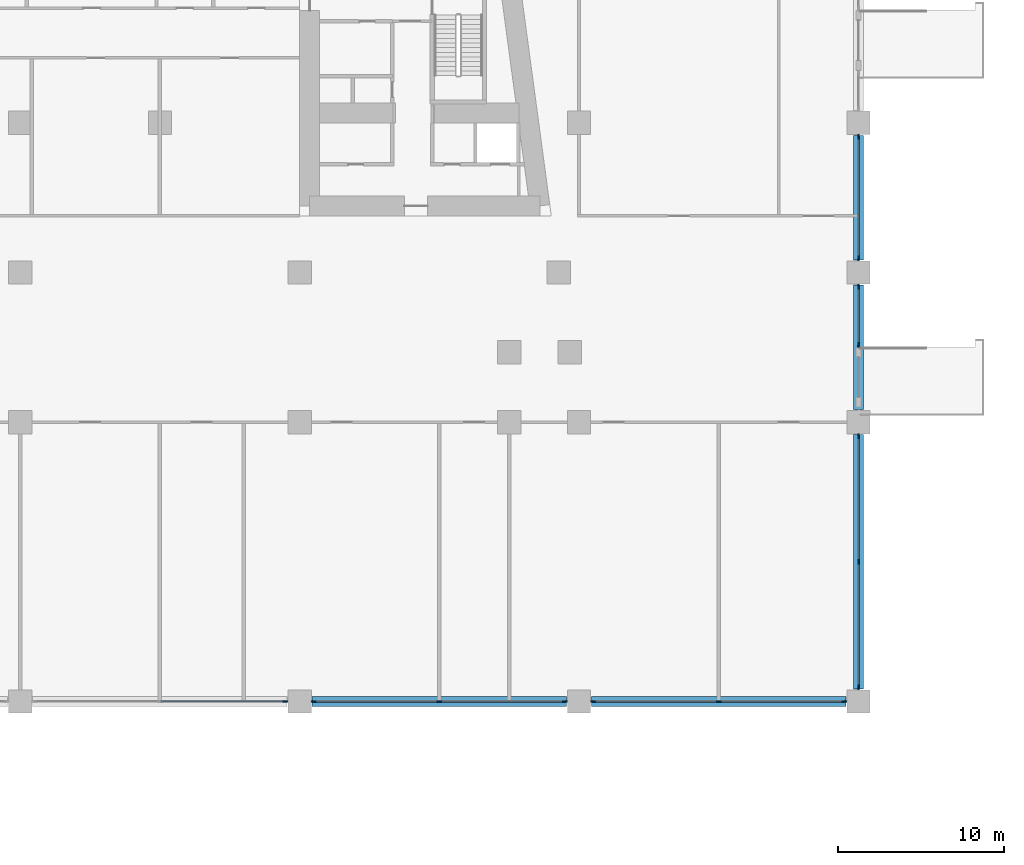
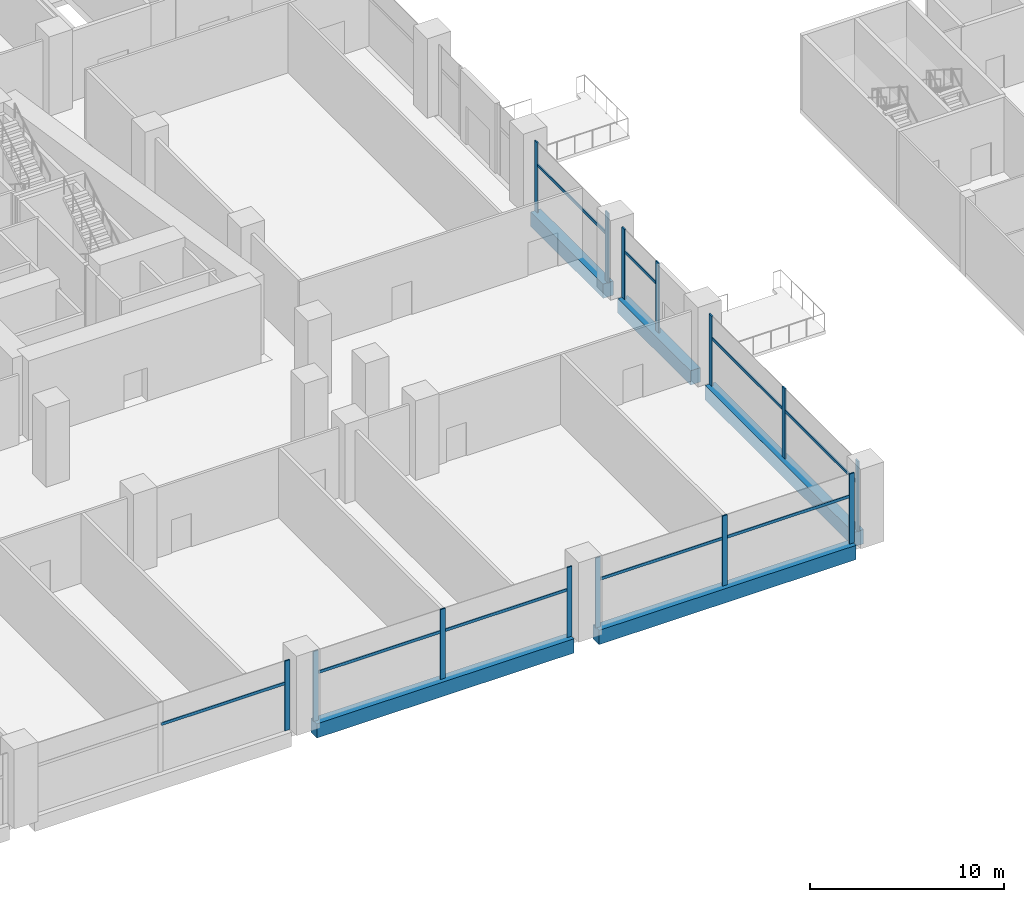
# One storey, part 5 of 33: 23 members, 5 beams, 6 elements without a shape of their own.
"""IFC4 building model written with IfcOpenShell, lengths in metres."""

from ifc_helpers import new_model, si_unit, direction, frame, origin, origin_2d, place, context, subcontext, project, spatial, rectangle, extrude, material, material_profile, profile_set, type_object, element, aggregate, save


model = new_model("IFC4")

# Units and contexts
model_context = context("Model", 3, precision=1e-05, world=origin(), true_north=direction((0.0, 1.0)))
body_context = subcontext(model_context, "Body", "Model", "MODEL_VIEW")
ifc_project = project(units=[si_unit("LENGTHUNIT", "METRE"), si_unit("AREAUNIT", "SQUARE_METRE"), si_unit("VOLUMEUNIT", "CUBIC_METRE"), si_unit("PLANEANGLEUNIT", "RADIAN"), si_unit("MASSUNIT", "GRAM", prefix="KILO")], contexts=[model_context])

# Site, building, storey
site_placement = place(None, origin())
site = spatial("IfcSite", under=ifc_project, at=site_placement, CompositionType="ELEMENT")
building_placement = place(site_placement, origin())
building = spatial("IfcBuilding", under=site, at=building_placement, Name="Candeia Pilgrim Tower and Theatre", CompositionType="ELEMENT")
storey_placement = place(building_placement, frame((0.0, 0.0, 29.0)))
storey = spatial("IfcBuildingStorey", under=building, at=storey_placement, Name="L04", CompositionType="ELEMENT", Elevation=29.0)

# Curtain wall, members
ifc_material_1 = material(Name="Aluminium framed podium glazing", Category="aluminium")
curtain_wall_type = type_object("IfcCurtainWallType", Name="CW-P curtain wall", PredefinedType="NOTDEFINED", material=ifc_material_1)
curtain_wall_1_placement = place(storey_placement, origin())
curtain_wall_1 = element("IfcCurtainWall", 1, at=curtain_wall_1_placement, inside=storey, type_object=curtain_wall_type, Name="Curtain wall CW-P L04.230", PredefinedType="NOTDEFINED")
ifc_material_2 = material(Name="Anodised aluminium", Category="aluminium")
ifc_material_profile_1 = material_profile(ifc_material_2, rectangle(XDim=0.080078125, YDim=0.300048828125, at=origin_2d()))
ifc_profile_set_1 = profile_set([ifc_material_profile_1], Name="Anodised aluminium")
member_type_1 = type_object("IfcMemberType", Name="CW-P mullion 80x300", PredefinedType="MULLION", material=ifc_profile_set_1)
member_1_placement = place(storey_placement, frame((159.60009765625, 115.14990234375, 0.0), z_axis=(0.0, 0.0, 1.0), x_axis=(1.0, 0.0, 0.0)))
member_1 = element("IfcMember", 2, at=member_1_placement, type_object=member_type_1, Name="CW-P mullion 1", PredefinedType="MULLION", context=body_context, shape_type="SweptSolid", body=[
    extrude(rectangle(XDim=0.080078125, YDim=0.300048828125, at=origin_2d()), origin(), (0.0, 0.0, 1.0), 4.39990234375),
])
member_2_placement = place(storey_placement, frame((159.60009765625, 107.85009765625, 0.0), z_axis=(0.0, 0.0, 1.0), x_axis=(1.0, 0.0, 0.0)))
member_2 = element("IfcMember", 3, at=member_2_placement, type_object=member_type_1, Name="CW-P mullion 2", PredefinedType="MULLION", context=body_context, shape_type="SweptSolid", body=[
    extrude(rectangle(XDim=0.080078125, YDim=0.300048828125, at=origin_2d()), origin(), (0.0, 0.0, 1.0), 4.39990234375),
])

curtain_wall_2_placement = place(storey_placement, origin())
curtain_wall_2 = element("IfcCurtainWall", 4, at=curtain_wall_2_placement, inside=storey, type_object=curtain_wall_type, Name="Curtain wall CW-P L04.240", PredefinedType="NOTDEFINED")
member_3_placement = place(storey_placement, frame((159.60009765625, 106.14990234375, 0.0), z_axis=(0.0, 0.0, 1.0), x_axis=(1.0, 0.0, 0.0)))
member_3 = element("IfcMember", 5, at=member_3_placement, type_object=member_type_1, Name="CW-P mullion 1", PredefinedType="MULLION", context=body_context, shape_type="SweptSolid", body=[
    extrude(rectangle(XDim=0.080078125, YDim=0.300048828125, at=origin_2d()), origin(), (0.0, 0.0, 1.0), 4.39990234375),
])
member_4_placement = place(storey_placement, frame((159.60009765625, 102.64990234375, 0.0), z_axis=(0.0, 0.0, 1.0), x_axis=(1.0, 0.0, 0.0)))
member_4 = element("IfcMember", 6, at=member_4_placement, type_object=member_type_1, Name="CW-P mullion 2", PredefinedType="MULLION", context=body_context, shape_type="SweptSolid", body=[
    extrude(rectangle(XDim=0.080078125, YDim=0.300048828125, at=origin_2d()), origin(), (0.0, 0.0, 1.0), 4.39990234375),
])

curtain_wall_3_placement = place(storey_placement, origin())
curtain_wall_3 = element("IfcCurtainWall", 7, at=curtain_wall_3_placement, inside=storey, type_object=curtain_wall_type, Name="Curtain wall CW-P L04.250", PredefinedType="NOTDEFINED")
member_5_placement = place(storey_placement, frame((159.60009765625, 97.14990234375, 0.0), z_axis=(0.0, 0.0, 1.0), x_axis=(1.0, 0.0, 0.0)))
member_5 = element("IfcMember", 8, at=member_5_placement, type_object=member_type_1, Name="CW-P mullion 1", PredefinedType="MULLION", context=body_context, shape_type="SweptSolid", body=[
    extrude(rectangle(XDim=0.080078125, YDim=0.300048828125, at=origin_2d()), origin(), (0.0, 0.0, 1.0), 4.39990234375),
])
member_6_placement = place(storey_placement, frame((159.60009765625, 89.60009765625, 0.0), z_axis=(0.0, 0.0, 1.0), x_axis=(1.0, 0.0, 0.0)))
member_6 = element("IfcMember", 9, at=member_6_placement, type_object=member_type_1, Name="CW-P mullion 2", PredefinedType="MULLION", context=body_context, shape_type="SweptSolid", body=[
    extrude(rectangle(XDim=0.080078125, YDim=0.300048828125, at=origin_2d()), origin(), (0.0, 0.0, 1.0), 4.39990234375),
])
member_7_placement = place(storey_placement, frame((159.60009765625, 82.050048828125, 0.0), z_axis=(0.0, 0.0, 1.0), x_axis=(1.0, 0.0, 0.0)))
member_7 = element("IfcMember", 10, at=member_7_placement, type_object=member_type_1, Name="CW-P mullion 3", PredefinedType="MULLION", context=body_context, shape_type="SweptSolid", body=[
    extrude(rectangle(XDim=0.080078125, YDim=0.300048828125, at=origin_2d()), origin(), (0.0, 0.0, 1.0), 4.39990234375),
])

curtain_wall_4_placement = place(storey_placement, origin())
curtain_wall_4 = element("IfcCurtainWall", 11, at=curtain_wall_4_placement, inside=storey, type_object=curtain_wall_type, Name="Curtain wall CW-P L04.300", PredefinedType="NOTDEFINED")
member_8_placement = place(storey_placement, frame((158.75, 81.199951171875, 0.0), z_axis=(0.0, 0.0, 1.0), x_axis=(0.0, -1.0, 0.0)))
member_8 = element("IfcMember", 12, at=member_8_placement, type_object=member_type_1, Name="CW-P mullion 1", PredefinedType="MULLION", context=body_context, shape_type="SweptSolid", body=[
    extrude(rectangle(XDim=0.080078125, YDim=0.300048828125, at=origin_2d()), origin(), (0.0, 0.0, 1.0), 4.39990234375),
])
member_9_placement = place(storey_placement, frame((151.199951171875, 81.199951171875, 0.0), z_axis=(0.0, 0.0, 1.0), x_axis=(0.0, -1.0, 0.0)))
member_9 = element("IfcMember", 13, at=member_9_placement, type_object=member_type_1, Name="CW-P mullion 2", PredefinedType="MULLION", context=body_context, shape_type="SweptSolid", body=[
    extrude(rectangle(XDim=0.080078125, YDim=0.300048828125, at=origin_2d()), origin(), (0.0, 0.0, 1.0), 4.39990234375),
])
member_10_placement = place(storey_placement, frame((143.64990234375, 81.199951171875, 0.0), z_axis=(0.0, 0.0, 1.0), x_axis=(0.0, -1.0, 0.0)))
member_10 = element("IfcMember", 14, at=member_10_placement, type_object=member_type_1, Name="CW-P mullion 3", PredefinedType="MULLION", context=body_context, shape_type="SweptSolid", body=[
    extrude(rectangle(XDim=0.080078125, YDim=0.300048828125, at=origin_2d()), origin(), (0.0, 0.0, 1.0), 4.39990234375),
])

curtain_wall_5_placement = place(storey_placement, origin())
curtain_wall_5 = element("IfcCurtainWall", 15, at=curtain_wall_5_placement, inside=storey, type_object=curtain_wall_type, Name="Curtain wall CW-P L04.310", PredefinedType="NOTDEFINED")
member_11_placement = place(storey_placement, frame((141.949951171875, 81.199951171875, 0.0), z_axis=(0.0, 0.0, 1.0), x_axis=(0.0, -1.0, 0.0)))
member_11 = element("IfcMember", 16, at=member_11_placement, type_object=member_type_1, Name="CW-P mullion 1", PredefinedType="MULLION", context=body_context, shape_type="SweptSolid", body=[
    extrude(rectangle(XDim=0.080078125, YDim=0.300048828125, at=origin_2d()), origin(), (0.0, 0.0, 1.0), 4.39990234375),
])
member_12_placement = place(storey_placement, frame((134.39990234375, 81.199951171875, 0.0), z_axis=(0.0, 0.0, 1.0), x_axis=(0.0, -1.0, 0.0)))
member_12 = element("IfcMember", 17, at=member_12_placement, type_object=member_type_1, Name="CW-P mullion 2", PredefinedType="MULLION", context=body_context, shape_type="SweptSolid", body=[
    extrude(rectangle(XDim=0.080078125, YDim=0.300048828125, at=origin_2d()), origin(), (0.0, 0.0, 1.0), 4.39990234375),
])
member_13_placement = place(storey_placement, frame((126.85009765625, 81.199951171875, 0.0), z_axis=(0.0, 0.0, 1.0), x_axis=(0.0, -1.0, 0.0)))
member_13 = element("IfcMember", 18, at=member_13_placement, type_object=member_type_1, Name="CW-P mullion 3", PredefinedType="MULLION", context=body_context, shape_type="SweptSolid", body=[
    extrude(rectangle(XDim=0.080078125, YDim=0.300048828125, at=origin_2d()), origin(), (0.0, 0.0, 1.0), 4.39990234375),
])

# Curtain wall, member
curtain_wall_6_placement = place(storey_placement, origin())
curtain_wall_6 = element("IfcCurtainWall", 19, at=curtain_wall_6_placement, inside=storey, type_object=curtain_wall_type, Name="Curtain wall CW-P L04.320", PredefinedType="NOTDEFINED")
member_14_placement = place(storey_placement, frame((125.14990234375, 81.199951171875, 0.0), z_axis=(0.0, 0.0, 1.0), x_axis=(0.0, -1.0, 0.0)))
member_14 = element("IfcMember", 20, at=member_14_placement, type_object=member_type_1, Name="CW-P mullion 1", PredefinedType="MULLION", context=body_context, shape_type="SweptSolid", body=[
    extrude(rectangle(XDim=0.080078125, YDim=0.300048828125, at=origin_2d()), origin(), (0.0, 0.0, 1.0), 4.39990234375),
])

# Member
ifc_material_profile_2 = material_profile(ifc_material_2, rectangle(XDim=0.080078125, YDim=0.179931640625, at=origin_2d()))
ifc_profile_set_2 = profile_set([ifc_material_profile_2], Name="Anodised aluminium")
member_type_2 = type_object("IfcMemberType", Name="CW-P transom 80x180", PredefinedType="USERDEFINED", material=ifc_profile_set_2)
member_15_placement = place(storey_placement, frame((159.60009765625, 115.110107421875, 3.0), z_axis=(0.0, -1.0, 0.0), x_axis=(1.0, 0.0, 0.0)))
member_15 = element("IfcMember", 21, at=member_15_placement, type_object=member_type_2, Name="CW-P transom 1.1", ObjectType="TRANSOM", PredefinedType="USERDEFINED", context=body_context, shape_type="SweptSolid", body=[
    extrude(rectangle(XDim=0.080078125, YDim=0.179931640625, at=origin_2d()), origin(), (0.0, 0.0, 1.0), 7.22021484375),
])

aggregate(curtain_wall_1, [member_1, member_2, member_15])

member_16_placement = place(storey_placement, frame((159.60009765625, 106.110107421875, 3.0), z_axis=(0.0, -1.0, 0.0), x_axis=(1.0, 0.0, 0.0)))
member_16 = element("IfcMember", 22, at=member_16_placement, type_object=member_type_2, Name="CW-P transom 1.1", ObjectType="TRANSOM", PredefinedType="USERDEFINED", context=body_context, shape_type="SweptSolid", body=[
    extrude(rectangle(XDim=0.080078125, YDim=0.179931640625, at=origin_2d()), origin(), (0.0, 0.0, 1.0), 3.420166015625),
])

aggregate(curtain_wall_2, [member_3, member_4, member_16])

member_17_placement = place(storey_placement, frame((159.60009765625, 97.110107421875, 3.0), z_axis=(0.0, -1.0, 0.0), x_axis=(1.0, 0.0, 0.0)))
member_17 = element("IfcMember", 23, at=member_17_placement, type_object=member_type_2, Name="CW-P transom 1.1", ObjectType="TRANSOM", PredefinedType="USERDEFINED", context=body_context, shape_type="SweptSolid", body=[
    extrude(rectangle(XDim=0.080078125, YDim=0.179931640625, at=origin_2d()), origin(), (0.0, 0.0, 1.0), 7.47021484375),
])

member_18_placement = place(storey_placement, frame((159.60009765625, 89.56005859375, 3.0), z_axis=(0.0, -1.0, 0.0), x_axis=(1.0, 0.0, 0.0)))
member_18 = element("IfcMember", 24, at=member_18_placement, type_object=member_type_2, Name="CW-P transom 2.1", ObjectType="TRANSOM", PredefinedType="USERDEFINED", context=body_context, shape_type="SweptSolid", body=[
    extrude(rectangle(XDim=0.080078125, YDim=0.179931640625, at=origin_2d()), origin(), (0.0, 0.0, 1.0), 7.469970703125),
])

aggregate(curtain_wall_3, [member_5, member_6, member_7, member_17, member_18])

member_19_placement = place(storey_placement, frame((158.7099609375, 81.199951171875, 3.0), z_axis=(-1.0, 0.0, 0.0), x_axis=(0.0, -1.0, 0.0)))
member_19 = element("IfcMember", 25, at=member_19_placement, type_object=member_type_2, Name="CW-P transom 1.1", ObjectType="TRANSOM", PredefinedType="USERDEFINED", context=body_context, shape_type="SweptSolid", body=[
    extrude(rectangle(XDim=0.080078125, YDim=0.179931640625, at=origin_2d()), origin(), (0.0, 0.0, 1.0), 7.469970703125),
])

member_20_placement = place(storey_placement, frame((151.159912109375, 81.199951171875, 3.0), z_axis=(-1.0, 0.0, 0.0), x_axis=(0.0, -1.0, 0.0)))
member_20 = element("IfcMember", 26, at=member_20_placement, type_object=member_type_2, Name="CW-P transom 2.1", ObjectType="TRANSOM", PredefinedType="USERDEFINED", context=body_context, shape_type="SweptSolid", body=[
    extrude(rectangle(XDim=0.080078125, YDim=0.179931640625, at=origin_2d()), origin(), (0.0, 0.0, 1.0), 7.469970703125),
])

aggregate(curtain_wall_4, [member_8, member_9, member_10, member_19, member_20])

member_21_placement = place(storey_placement, frame((141.909912109375, 81.199951171875, 3.0), z_axis=(-1.0, 0.0, 0.0), x_axis=(0.0, -1.0, 0.0)))
member_21 = element("IfcMember", 27, at=member_21_placement, type_object=member_type_2, Name="CW-P transom 1.1", ObjectType="TRANSOM", PredefinedType="USERDEFINED", context=body_context, shape_type="SweptSolid", body=[
    extrude(rectangle(XDim=0.080078125, YDim=0.179931640625, at=origin_2d()), origin(), (0.0, 0.0, 1.0), 7.469970703125),
])

member_22_placement = place(storey_placement, frame((134.360107421875, 81.199951171875, 3.0), z_axis=(-1.0, 0.0, 0.0), x_axis=(0.0, -1.0, 0.0)))
member_22 = element("IfcMember", 28, at=member_22_placement, type_object=member_type_2, Name="CW-P transom 2.1", ObjectType="TRANSOM", PredefinedType="USERDEFINED", context=body_context, shape_type="SweptSolid", body=[
    extrude(rectangle(XDim=0.080078125, YDim=0.179931640625, at=origin_2d()), origin(), (0.0, 0.0, 1.0), 7.47021484375),
])

aggregate(curtain_wall_5, [member_11, member_12, member_13, member_21, member_22])

member_23_placement = place(storey_placement, frame((125.110107421875, 81.199951171875, 3.0), z_axis=(-1.0, 0.0, 0.0), x_axis=(0.0, -1.0, 0.0)))
member_23 = element("IfcMember", 29, at=member_23_placement, type_object=member_type_2, Name="CW-P transom 1.1", ObjectType="TRANSOM", PredefinedType="USERDEFINED", context=body_context, shape_type="SweptSolid", body=[
    extrude(rectangle(XDim=0.080078125, YDim=0.179931640625, at=origin_2d()), origin(), (0.0, 0.0, 1.0), 7.47021484375),
])

aggregate(curtain_wall_6, [member_14, member_23])

# Beams
ifc_material_3 = material(Name="Concrete C80/95", Category="concrete")
ifc_material_profile_3 = material_profile(ifc_material_3, rectangle(XDim=0.60009765625, YDim=0.89990234375, at=origin_2d()))
ifc_profile_set_3 = profile_set([ifc_material_profile_3], Name="Concrete C80/95")
beam_type = type_object("IfcBeamType", Name="RC 600x900 C80/95", PredefinedType="BEAM", material=ifc_profile_set_3)
beam_placement = place(storey_placement, frame((159.60009765625, 81.949951171875, -0.449951171875), z_axis=(0.0, 1.0, 0.0), x_axis=(-1.0, 0.0, 0.0)))
element("IfcBeam", 30, at=beam_placement, inside=storey, type_object=beam_type, Name="Spandrel beam L04-01", PredefinedType="BEAM", context=body_context, shape_type="SweptSolid", body=[
    extrude(rectangle(XDim=0.60009765625, YDim=0.89990234375, at=origin_2d()), origin(), (0.0, 0.0, 1.0), 15.300048828125),
])
for number, where, z_axis, x_axis, name in (
    (31, (159.60009765625, 98.75, -0.449951171875), (0.0, 1.0, 0.0), (-1.0, 0.0, 0.0), "Spandrel beam L04-02"),
    (32, (159.60009765625, 107.75, -0.449951171875), (0.0, 1.0, 0.0), (-1.0, 0.0, 0.0), "Spandrel beam L04-03"),
):
    element("IfcBeam", number, at=place(storey_placement, frame(where, z_axis=z_axis, x_axis=x_axis)), inside=storey, type_object=beam_type, Name=name, PredefinedType="BEAM", context=body_context, shape_type="SweptSolid", body=[
        extrude(rectangle(XDim=0.60009765625, YDim=0.89990234375, at=origin_2d()), origin(), (0.0, 0.0, 1.0), 7.5),
    ])
for number, where, z_axis, x_axis, name in (
    (33, (126.75, 81.199951171875, -0.449951171875), (1.0, 0.0, 0.0), (0.0, 1.0, 0.0), "Spandrel beam L04-23"),
    (34, (143.550048828125, 81.199951171875, -0.449951171875), (1.0, 0.0, 0.0), (0.0, 1.0, 0.0), "Spandrel beam L04-24"),
):
    element("IfcBeam", number, at=place(storey_placement, frame(where, z_axis=z_axis, x_axis=x_axis)), inside=storey, type_object=beam_type, Name=name, PredefinedType="BEAM", context=body_context, shape_type="SweptSolid", body=[
        extrude(rectangle(XDim=0.60009765625, YDim=0.89990234375, at=origin_2d()), origin(), (0.0, 0.0, 1.0), 15.300048828125),
    ])

save(model, "model.ifc")
